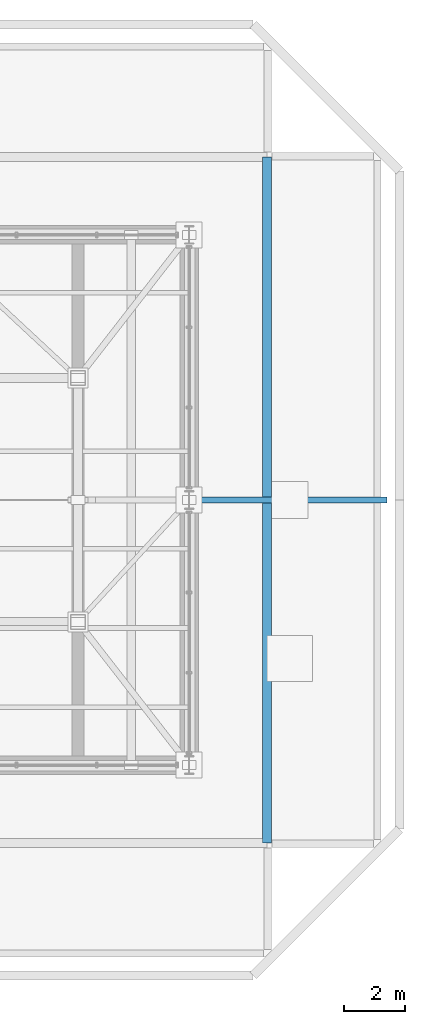
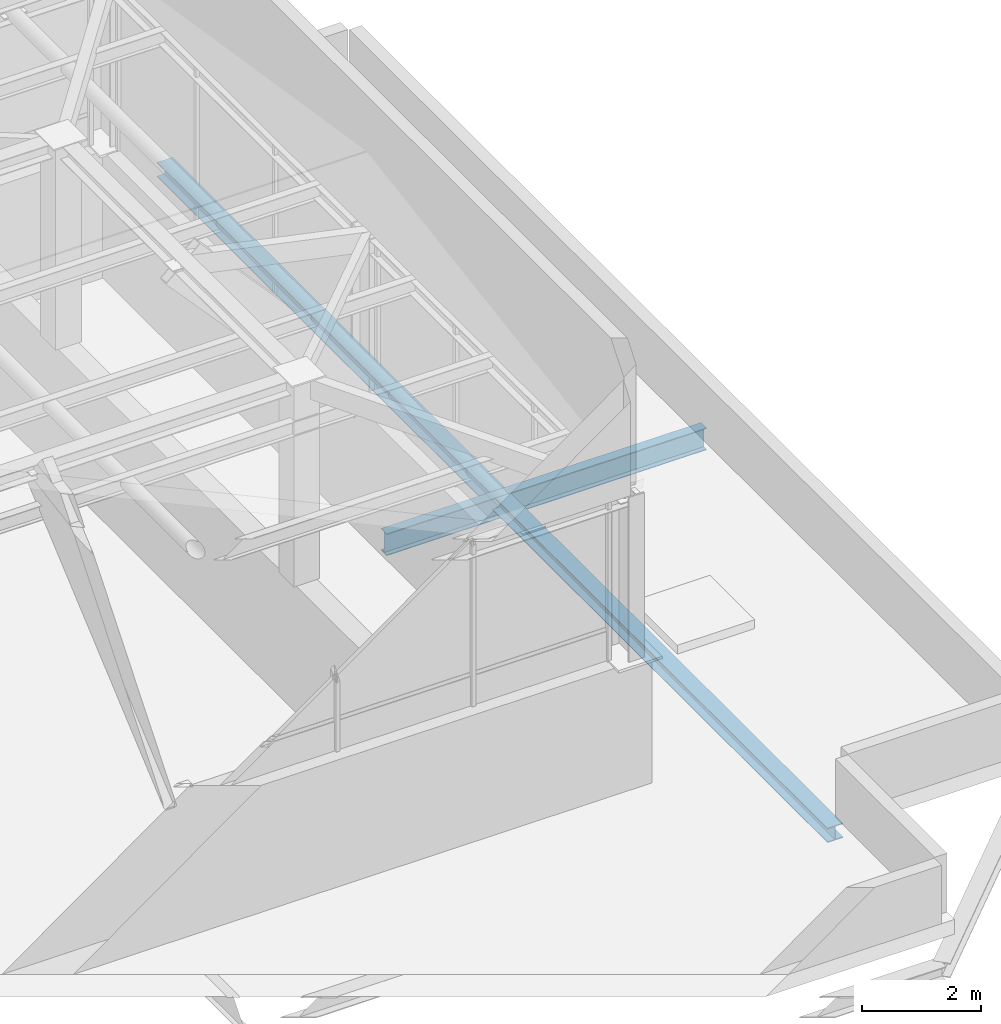
# One storey, part 13 of 22: 2 beams.
"""IFC4 building model written with IfcOpenShell, lengths in metres."""

import ifcopenshell
import ifcopenshell.guid

model = None  # the IFC model being written
_history = None  # IfcOwnerHistory: only IFC2X3 demands one
_inside = {}  # id of a spatial element -> (the spatial element, [elements in it])
_under = {}  # id of a project, library or spatial element -> (it, [spatial elements below it])
_declared = {}  # id of a project -> (the project, [libraries it declares])
_typed = {}  # id of a type object -> (the type object, [elements of that type])
_made_of = {}  # id of a material, layer set ... -> (it, [elements and type objects made of it])


def new_model(schema):
    """Start an empty IFC model of exactly this schema.

    Asked for "IFC4X3", IfcOpenShell would pick the latest addendum, in which some entities
    have other attributes; the version numbers below select the first issue.
    IFC2X3 requires an IfcOwnerHistory on every rooted entity: one is made here for all.
    """
    global model, _history
    if schema == "IFC4X3":
        model = ifcopenshell.file(schema_version=(4, 3, 0, 0))
    else:
        model = ifcopenshell.file(schema=schema)
    _inside.clear()
    _under.clear()
    _declared.clear()
    _typed.clear()
    _made_of.clear()
    _history = None
    if model.schema == "IFC2X3":
        org = make("IfcOrganization", Name="unknown")
        user = make(
            "IfcPersonAndOrganization",
            ThePerson=make("IfcPerson", FamilyName="unknown"),
            TheOrganization=org,
        )
        app = make(
            "IfcApplication",
            ApplicationDeveloper=org,
            Version="unknown",
            ApplicationFullName="unknown",
            ApplicationIdentifier="unknown",
        )
        _history = make(
            "IfcOwnerHistory",
            OwningUser=user,
            OwningApplication=app,
            ChangeAction="ADDED",
            CreationDate=0,
        )
    return model


def make(cls, **values):
    """One entity of the class cls with the attributes given. An attribute that is None is left unset."""
    return model.create_entity(
        cls, **{name: value for name, value in values.items() if value is not None}
    )


def rooted(cls, **values):
    """An entity with a GlobalId (a new one), such as an element, a storey or a relation."""
    return make(cls, GlobalId=ifcopenshell.guid.new(), OwnerHistory=_history, **values)


def si_unit(unit_type, name, prefix=None):
    """IfcSIUnit, for example si_unit("LENGTHUNIT", "METRE", prefix="MILLI")."""
    return make("IfcSIUnit", UnitType=unit_type, Prefix=prefix, Name=name)


def assignment(units):
    """IfcUnitAssignment: the units of a project."""
    return None if units is None else make("IfcUnitAssignment", Units=units)


def point(xyz):
    """IfcCartesianPoint."""
    return None if xyz is None else make("IfcCartesianPoint", Coordinates=xyz)


def direction(xyz):
    """IfcDirection."""
    return None if xyz is None else make("IfcDirection", DirectionRatios=xyz)


def frame(location, z_axis=None, x_axis=None):
    """IfcAxis2Placement3D, a coordinate frame: its origin and axes. An axis left out is left unset."""
    return make(
        "IfcAxis2Placement3D",
        Location=point(location),
        Axis=direction(z_axis),
        RefDirection=direction(x_axis),
    )


def frame_2d(location, x_axis=None):
    """IfcAxis2Placement2D, a coordinate frame in the plane: its origin and x axis."""
    return make(
        "IfcAxis2Placement2D", Location=point(location), RefDirection=direction(x_axis)
    )


def origin():
    """The frame at (0, 0, 0) with its axes left unset."""
    return frame((0.0, 0.0, 0.0))


def origin_2d():
    """The frame at (0, 0) in the plane with its x axis left unset."""
    return frame_2d((0.0, 0.0))


def place(relative_to, where):
    """IfcLocalPlacement: puts the frame where relative to a parent placement (None: the world)."""
    return make(
        "IfcLocalPlacement", PlacementRelTo=relative_to, RelativePlacement=where
    )


def context(
    kind, dimensions, precision=None, world=None, true_north=None, identifier=None
):
    """IfcGeometricRepresentationContext, for example the 3D "Model" context."""
    return make(
        "IfcGeometricRepresentationContext",
        ContextIdentifier=identifier,
        ContextType=kind,
        CoordinateSpaceDimension=dimensions,
        Precision=precision,
        WorldCoordinateSystem=world,
        TrueNorth=true_north,
    )


def subcontext(parent, identifier, kind, view, scale=None):
    """IfcGeometricRepresentationSubContext, for example "Body" below "Model"."""
    return make(
        "IfcGeometricRepresentationSubContext",
        ContextIdentifier=identifier,
        ContextType=kind,
        ParentContext=parent,
        TargetScale=scale,
        TargetView=view,
    )


def project(units=None, contexts=None):
    """IfcProject with its units and contexts."""
    return rooted(
        "IfcProject",
        Name="project",
        RepresentationContexts=contexts,
        UnitsInContext=assignment(units),
    )


def spatial(cls, under=None, at=None, **own):
    """A site, building, storey or space (cls), placed at a placement, below another one or the project."""
    s = rooted(cls, ObjectPlacement=at, **own)
    if under is not None:
        _under.setdefault(under.id(), (under, []))[1].append(s)
    return s


def profile(cls, at=None, kind="AREA", **sizes):
    """A parametric profile (cls). Its sizes go by their IFC names, for example OverallWidth=200.0."""
    return make(cls, ProfileType=kind, Position=at, **sizes)


def i_section(**sizes):
    """IfcIShapeProfileDef."""
    return profile("IfcIShapeProfileDef", **sizes)


def extrude(swept, where, along, depth):
    """IfcExtrudedAreaSolid: the profile swept, set in the frame where, extruded along a direction by depth."""
    return make(
        "IfcExtrudedAreaSolid",
        SweptArea=swept,
        Position=where,
        ExtrudedDirection=direction(along),
        Depth=depth,
    )


def shape(context_of_items, identifier, shape_type, items):
    """IfcShapeRepresentation: the items that make up one representation, for example the "Body"."""
    return make(
        "IfcShapeRepresentation",
        ContextOfItems=context_of_items,
        RepresentationIdentifier=identifier,
        RepresentationType=shape_type,
        Items=items,
    )


def material(Name=None, Category=None):
    """IfcMaterial."""
    return make("IfcMaterial", Name=Name, Category=Category)


def material_profile(
    of_material, cross_section, Name=None, Category=None, Priority=None
):
    """IfcMaterialProfile: a cross section and its material."""
    return make(
        "IfcMaterialProfile",
        Name=Name,
        Material=of_material,
        Profile=cross_section,
        Priority=Priority,
        Category=Category,
    )


def profile_set(profiles, Name=None, composite=None):
    """IfcMaterialProfileSet."""
    return make(
        "IfcMaterialProfileSet",
        Name=Name,
        MaterialProfiles=profiles,
        CompositeProfile=composite,
    )


def made_of(thing, what):
    """Note that an element or type object is made of a material, layer set ...; save() writes the relation."""
    if what is not None:
        _made_of.setdefault(what.id(), (what, []))[1].append(thing)
    return thing


def type_object(cls, material=None, **own):
    """A type object (cls), such as IfcWallType, which elements share."""
    return made_of(rooted(cls, **own), material)


def element(
    cls,
    number,
    at=None,
    inside=None,
    cuts=None,
    type_object=None,
    material=None,
    context=None,
    identifier="Body",
    shape_type=None,
    held_by="IfcProductDefinitionShape",
    body=None,
    shapes=None,
    **own,
):
    """One element of the class cls, such as IfcWall. Its Tag is "e" and its number.

    at: its placement. inside: the storey or other place that contains it. cuts: it is an
    opening in that element (IfcRelVoidsElement). A single representation is given by context,
    identifier, shape_type and body (its items); several are given by shapes. held_by: the class
    of the entity that holds the representations. save() writes the other relations.
    """
    e = rooted(cls, Tag="e%d" % number, ObjectPlacement=at, **own)
    if body is not None:
        shapes = [shape(context, identifier, shape_type, body)]
    if shapes is not None:
        e.Representation = make(held_by, Representations=shapes)
    if inside is not None:
        _inside.setdefault(inside.id(), (inside, []))[1].append(e)
    if cuts is not None:
        rooted(
            "IfcRelVoidsElement", RelatingBuildingElement=cuts, RelatedOpeningElement=e
        )
    if type_object is not None:
        _typed.setdefault(type_object.id(), (type_object, []))[1].append(e)
    return made_of(e, material)


def aggregate(whole, parts):
    """IfcRelAggregates: a whole, such as a stair, and the parts it consists of."""
    return rooted("IfcRelAggregates", RelatingObject=whole, RelatedObjects=parts)


def save(model, path):
    """Write the relations noted so far, then the file.

    IfcRelAggregates (storeys below a building ...), IfcRelContainedInSpatialStructure (elements
    in a storey), IfcRelDefinesByType, IfcRelAssociatesMaterial and IfcRelDeclares: one each for
    every whole, place, type object, material and project.
    """
    for whole, parts in _under.values():
        aggregate(whole, parts)
    for where, things in _inside.values():
        rooted(
            "IfcRelContainedInSpatialStructure",
            RelatedElements=things,
            RelatingStructure=where,
        )
    for kind, things in _typed.values():
        rooted("IfcRelDefinesByType", RelatedObjects=things, RelatingType=kind)
    for what, things in _made_of.values():
        rooted("IfcRelAssociatesMaterial", RelatedObjects=things, RelatingMaterial=what)
    for by, libraries in _declared.values():
        rooted("IfcRelDeclares", RelatingContext=by, RelatedDefinitions=libraries)
    model.write(path)


model = new_model("IFC4")

# Units and contexts
model_context = context("Model", 3, precision=1e-05, world=origin(), true_north=direction((0.0, 1.0)))
body_context = subcontext(model_context, "Body", "Model", "MODEL_VIEW")
ifc_project = project(units=[si_unit("LENGTHUNIT", "METRE"), si_unit("AREAUNIT", "SQUARE_METRE"), si_unit("VOLUMEUNIT", "CUBIC_METRE"), si_unit("PLANEANGLEUNIT", "RADIAN"), si_unit("MASSUNIT", "GRAM", prefix="KILO")], contexts=[model_context])

# Site, building, storey
site_placement = place(None, origin())
site = spatial("IfcSite", under=ifc_project, at=site_placement, CompositionType="ELEMENT")
building_placement = place(site_placement, origin())
building = spatial("IfcBuilding", under=site, at=building_placement, Name="Belovzor Exchange Tower", CompositionType="ELEMENT")
storey_placement = place(building_placement, frame((0.0, 0.0, 378.60009765625)))
storey = spatial("IfcBuildingStorey", under=building, at=storey_placement, Name="RF", CompositionType="ELEMENT", Elevation=378.60009765625)

# Beams
ifc_material_1 = material(Name="Steel S355", Category="steel")
ifc_material_profile_1 = material_profile(ifc_material_1, i_section(OverallWidth=0.300048828125, OverallDepth=0.300048828125, WebThickness=0.010986328125, FlangeThickness=0.01904296875, at=origin_2d()))
ifc_profile_set_1 = profile_set([ifc_material_profile_1], Name="Steel S355")
beam_type_1 = type_object("IfcBeamType", Name="Crown Plant Primary Beam HEB 300", PredefinedType="BEAM", material=ifc_profile_set_1)
beam_1_placement = place(storey_placement, frame((40.050048828125, 17.550048828125, -0.4501953125), z_axis=(0.0, 1.0, 0.0), x_axis=(-1.0, 0.0, 0.0)))
element("IfcBeam", 1, at=beam_1_placement, inside=storey, type_object=beam_type_1, Name="FG-CR Crown Plant Primary Beam HEB 300", PredefinedType="BEAM", context=body_context, shape_type="SweptSolid", body=[
    extrude(i_section(OverallWidth=0.300048828125, OverallDepth=0.300048828125, WebThickness=0.010986328125, FlangeThickness=0.01904296875, at=origin_2d()), origin(), (0.0, 0.0, 1.0), 22.5),
])
ifc_material_2 = material(Name="Steel S355", Category="steel")
ifc_material_profile_2 = material_profile(ifc_material_2, i_section(OverallWidth=0.18994140625, OverallDepth=0.449951171875, WebThickness=0.009521484375, FlangeThickness=0.0146484375, at=origin_2d()))
ifc_profile_set_2 = profile_set([ifc_material_profile_2], Name="Steel S355")
beam_type_2 = type_object("IfcBeamType", Name="Zone 2-4 Radial Composite Floor Beam IPE 450", PredefinedType="BEAM", material=ifc_profile_set_2)
beam_2_placement = place(storey_placement, frame((37.800048828125, 28.800048828125, -0.525146484375), z_axis=(1.0, 0.0, 0.0), x_axis=(0.0, 1.0, 0.0)))
element("IfcBeam", 2, at=beam_2_placement, inside=storey, type_object=beam_type_2, Name="FB-450 Zone 2-4 Radial Composite Floor Beam IPE 450", PredefinedType="BEAM", context=body_context, shape_type="SweptSolid", body=[
    extrude(i_section(OverallWidth=0.18994140625, OverallDepth=0.449951171875, WebThickness=0.009521484375, FlangeThickness=0.0146484375, at=origin_2d()), origin(), (0.0, 0.0, 1.0), 6.199951171875),
])

save(model, "model.ifc")
